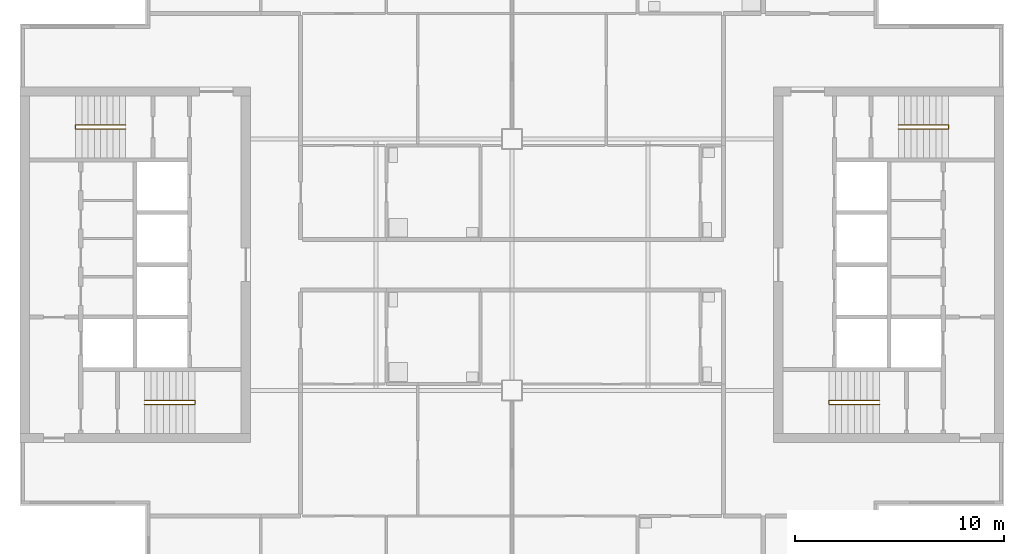
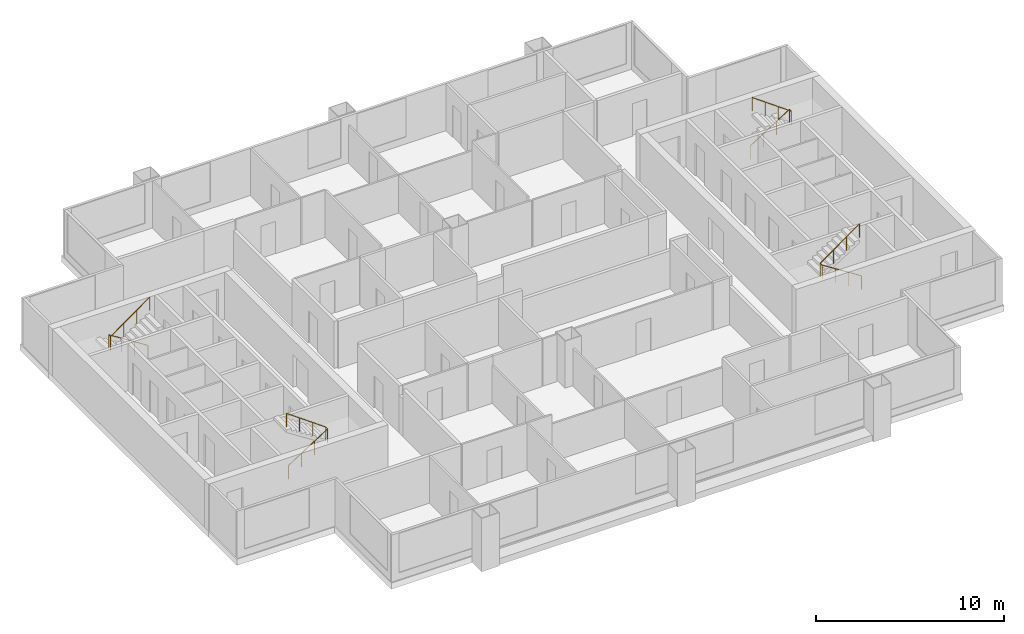
# One storey, part 7 of 8: 4 railings.
"""IFC4 building model written with IfcOpenShell, lengths in metres."""

from ifc_helpers import new_model, si_unit, direction, frame, origin, origin_2d, place, context, subcontext, project, spatial, circle, extrude, material, type_object, element, save


model = new_model("IFC4")

# Units and contexts
model_context = context("Model", 3, precision=1e-05, world=origin(), true_north=direction((0.0, 1.0)))
body_context = subcontext(model_context, "Body", "Model", "MODEL_VIEW")
ifc_project = project(units=[si_unit("LENGTHUNIT", "METRE"), si_unit("AREAUNIT", "SQUARE_METRE"), si_unit("VOLUMEUNIT", "CUBIC_METRE"), si_unit("PLANEANGLEUNIT", "RADIAN"), si_unit("MASSUNIT", "GRAM", prefix="KILO")], contexts=[model_context])

# Site, building, storey
site_placement = place(None, origin())
site = spatial("IfcSite", under=ifc_project, at=site_placement, CompositionType="ELEMENT")
building_placement = place(site_placement, origin())
building = spatial("IfcBuilding", under=site, at=building_placement, Name="Kitamizu Gate Tower and Museum", CompositionType="ELEMENT")
storey_placement = place(building_placement, frame((0.0, 0.0, 228.300048828125)))
storey = spatial("IfcBuildingStorey", under=building, at=storey_placement, Name="L61", CompositionType="ELEMENT", Elevation=228.300048828125)

# Railings
ifc_material = material(Name="Stainless steel SUS304", Category="steel")
railing_type = type_object("IfcRailingType", Name="Stair handrail 900", PredefinedType="HANDRAIL", material=ifc_material)
railing_1_placement = place(storey_placement, frame((18.449951171875, 23.324951171875, 0.191650390625)))
element("IfcRailing", 1, at=railing_1_placement, inside=storey, type_object=railing_type, Name="Stair handrail ST1", PredefinedType="HANDRAIL", context=body_context, shape_type="SweptSolid", body=[
    extrude(circle(Radius=0.02392578125, at=origin_2d()), frame((0.0, 0.0, 0.8759765625), z_axis=(0.842731908877, 0.0, 0.538333474494), x_axis=(0.0, 1.0, 0.0)), (0.0, 0.0, 1.0), 2.84814453125),
    extrude(circle(Radius=0.02392578125, at=origin_2d()), frame((2.400146484375, 0.0, 2.4091796875), z_axis=(0.0, 1.0, 0.0), x_axis=(-1.0, 0.0, 0.0)), (0.0, 0.0, 1.0), 0.199951171875),
    extrude(circle(Radius=0.02392578125, at=origin_2d()), frame((2.400146484375, 0.199951171875, 2.4091796875), z_axis=(-0.812016594614, 0.0, 0.583634346205), x_axis=(0.0, -1.0, 0.0)), (0.0, 0.0, 1.0), 2.955810546875),
    extrude(circle(Radius=0.02099609375, at=origin_2d()), origin(), (0.0, 0.0, 1.0), 0.851806640625),
    extrude(circle(Radius=0.02099609375, at=origin_2d()), frame((0.800048828125, 0.0, 0.510986328125)), (0.0, 0.0, 1.0), 0.851806640625),
    extrude(circle(Radius=0.02099609375, at=origin_2d()), frame((1.60009765625, 0.0, 1.022216796875)), (0.0, 0.0, 1.0), 0.851806640625),
    extrude(circle(Radius=0.02099609375, at=origin_2d()), frame((2.400146484375, 0.0, 1.533203125)), (0.0, 0.0, 1.0), 0.851806640625),
    extrude(circle(Radius=0.02099609375, at=origin_2d()), frame((2.400146484375, 0.199951171875, 1.533203125)), (0.0, 0.0, 1.0), 0.851806640625),
    extrude(circle(Radius=0.02099609375, at=origin_2d()), frame((1.60009765625, 0.199951171875, 2.108154296875)), (0.0, 0.0, 1.0), 0.851806640625),
    extrude(circle(Radius=0.02099609375, at=origin_2d()), frame((0.800048828125, 0.199951171875, 2.683349609375)), (0.0, 0.0, 1.0), 0.851806640625),
    extrude(circle(Radius=0.02099609375, at=origin_2d()), frame((0.0, 0.199951171875, 3.25830078125)), (0.0, 0.0, 1.0), 0.851806640625),
])
railing_2_placement = place(storey_placement, frame((17.550048828125, 36.675048828125, 0.191650390625)))
element("IfcRailing", 2, at=railing_2_placement, inside=storey, type_object=railing_type, Name="Stair handrail ST2", PredefinedType="HANDRAIL", context=body_context, shape_type="SweptSolid", body=[
    extrude(circle(Radius=0.02392578125, at=origin_2d()), frame((0.0, 0.0, 0.8759765625), z_axis=(-0.842731908877, 0.0, 0.538333474494), x_axis=(0.0, -1.0, 0.0)), (0.0, 0.0, 1.0), 2.84814453125),
    extrude(circle(Radius=0.02392578125, at=origin_2d()), frame((-2.400146484375, 0.0, 2.4091796875), z_axis=(0.0, -1.0, 0.0), x_axis=(1.0, 0.0, 0.0)), (0.0, 0.0, 1.0), 0.199951171875),
    extrude(circle(Radius=0.02392578125, at=origin_2d()), frame((-2.400146484375, -0.199951171875, 2.4091796875), z_axis=(0.812016594614, 0.0, 0.583634346205), x_axis=(0.0, 1.0, 0.0)), (0.0, 0.0, 1.0), 2.955810546875),
    extrude(circle(Radius=0.02099609375, at=origin_2d()), origin(), (0.0, 0.0, 1.0), 0.851806640625),
    extrude(circle(Radius=0.02099609375, at=origin_2d()), frame((-0.800048828125, 0.0, 0.510986328125)), (0.0, 0.0, 1.0), 0.851806640625),
    extrude(circle(Radius=0.02099609375, at=origin_2d()), frame((-1.60009765625, 0.0, 1.022216796875)), (0.0, 0.0, 1.0), 0.851806640625),
    extrude(circle(Radius=0.02099609375, at=origin_2d()), frame((-2.400146484375, 0.0, 1.533203125)), (0.0, 0.0, 1.0), 0.851806640625),
    extrude(circle(Radius=0.02099609375, at=origin_2d()), frame((-2.400146484375, -0.199951171875, 1.533203125)), (0.0, 0.0, 1.0), 0.851806640625),
    extrude(circle(Radius=0.02099609375, at=origin_2d()), frame((-1.60009765625, -0.199951171875, 2.108154296875)), (0.0, 0.0, 1.0), 0.851806640625),
    extrude(circle(Radius=0.02099609375, at=origin_2d()), frame((-0.800048828125, -0.199951171875, 2.683349609375)), (0.0, 0.0, 1.0), 0.851806640625),
    extrude(circle(Radius=0.02099609375, at=origin_2d()), frame((0.0, -0.199951171875, 3.25830078125)), (0.0, 0.0, 1.0), 0.851806640625),
])
railing_3_placement = place(storey_placement, frame((53.550048828125, 23.324951171875, 0.191650390625)))
element("IfcRailing", 3, at=railing_3_placement, inside=storey, type_object=railing_type, Name="Stair handrail ST3", PredefinedType="HANDRAIL", context=body_context, shape_type="SweptSolid", body=[
    extrude(circle(Radius=0.02392578125, at=origin_2d()), frame((0.0, 0.0, 0.8759765625), z_axis=(-0.842731908877, 0.0, 0.538333474494), x_axis=(0.0, -1.0, 0.0)), (0.0, 0.0, 1.0), 2.84814453125),
    extrude(circle(Radius=0.02392578125, at=origin_2d()), frame((-2.400146484375, 0.0, 2.4091796875), z_axis=(0.0, 1.0, 0.0), x_axis=(-1.0, 0.0, 0.0)), (0.0, 0.0, 1.0), 0.199951171875),
    extrude(circle(Radius=0.02392578125, at=origin_2d()), frame((-2.400146484375, 0.199951171875, 2.4091796875), z_axis=(0.812016594614, 0.0, 0.583634346205), x_axis=(0.0, 1.0, 0.0)), (0.0, 0.0, 1.0), 2.955810546875),
    extrude(circle(Radius=0.02099609375, at=origin_2d()), origin(), (0.0, 0.0, 1.0), 0.851806640625),
    extrude(circle(Radius=0.02099609375, at=origin_2d()), frame((-0.800048828125, 0.0, 0.510986328125)), (0.0, 0.0, 1.0), 0.851806640625),
    extrude(circle(Radius=0.02099609375, at=origin_2d()), frame((-1.60009765625, 0.0, 1.022216796875)), (0.0, 0.0, 1.0), 0.851806640625),
    extrude(circle(Radius=0.02099609375, at=origin_2d()), frame((-2.400146484375, 0.0, 1.533203125)), (0.0, 0.0, 1.0), 0.851806640625),
    extrude(circle(Radius=0.02099609375, at=origin_2d()), frame((-2.400146484375, 0.199951171875, 1.533203125)), (0.0, 0.0, 1.0), 0.851806640625),
    extrude(circle(Radius=0.02099609375, at=origin_2d()), frame((-1.60009765625, 0.199951171875, 2.108154296875)), (0.0, 0.0, 1.0), 0.851806640625),
    extrude(circle(Radius=0.02099609375, at=origin_2d()), frame((-0.800048828125, 0.199951171875, 2.683349609375)), (0.0, 0.0, 1.0), 0.851806640625),
    extrude(circle(Radius=0.02099609375, at=origin_2d()), frame((0.0, 0.199951171875, 3.25830078125)), (0.0, 0.0, 1.0), 0.851806640625),
])
railing_4_placement = place(storey_placement, frame((54.449951171875, 36.675048828125, 0.191650390625)))
element("IfcRailing", 4, at=railing_4_placement, inside=storey, type_object=railing_type, Name="Stair handrail ST4", PredefinedType="HANDRAIL", context=body_context, shape_type="SweptSolid", body=[
    extrude(circle(Radius=0.02392578125, at=origin_2d()), frame((0.0, 0.0, 0.8759765625), z_axis=(0.842731908877, 0.0, 0.538333474494), x_axis=(0.0, 1.0, 0.0)), (0.0, 0.0, 1.0), 2.84814453125),
    extrude(circle(Radius=0.02392578125, at=origin_2d()), frame((2.400146484375, 0.0, 2.4091796875), z_axis=(0.0, -1.0, 0.0), x_axis=(1.0, 0.0, 0.0)), (0.0, 0.0, 1.0), 0.199951171875),
    extrude(circle(Radius=0.02392578125, at=origin_2d()), frame((2.400146484375, -0.199951171875, 2.4091796875), z_axis=(-0.812016594614, 0.0, 0.583634346205), x_axis=(0.0, -1.0, 0.0)), (0.0, 0.0, 1.0), 2.955810546875),
    extrude(circle(Radius=0.02099609375, at=origin_2d()), origin(), (0.0, 0.0, 1.0), 0.851806640625),
    extrude(circle(Radius=0.02099609375, at=origin_2d()), frame((0.800048828125, 0.0, 0.510986328125)), (0.0, 0.0, 1.0), 0.851806640625),
    extrude(circle(Radius=0.02099609375, at=origin_2d()), frame((1.60009765625, 0.0, 1.022216796875)), (0.0, 0.0, 1.0), 0.851806640625),
    extrude(circle(Radius=0.02099609375, at=origin_2d()), frame((2.400146484375, 0.0, 1.533203125)), (0.0, 0.0, 1.0), 0.851806640625),
    extrude(circle(Radius=0.02099609375, at=origin_2d()), frame((2.400146484375, -0.199951171875, 1.533203125)), (0.0, 0.0, 1.0), 0.851806640625),
    extrude(circle(Radius=0.02099609375, at=origin_2d()), frame((1.60009765625, -0.199951171875, 2.108154296875)), (0.0, 0.0, 1.0), 0.851806640625),
    extrude(circle(Radius=0.02099609375, at=origin_2d()), frame((0.800048828125, -0.199951171875, 2.683349609375)), (0.0, 0.0, 1.0), 0.851806640625),
    extrude(circle(Radius=0.02099609375, at=origin_2d()), frame((0.0, -0.199951171875, 3.25830078125)), (0.0, 0.0, 1.0), 0.851806640625),
])

save(model, "model.ifc")
